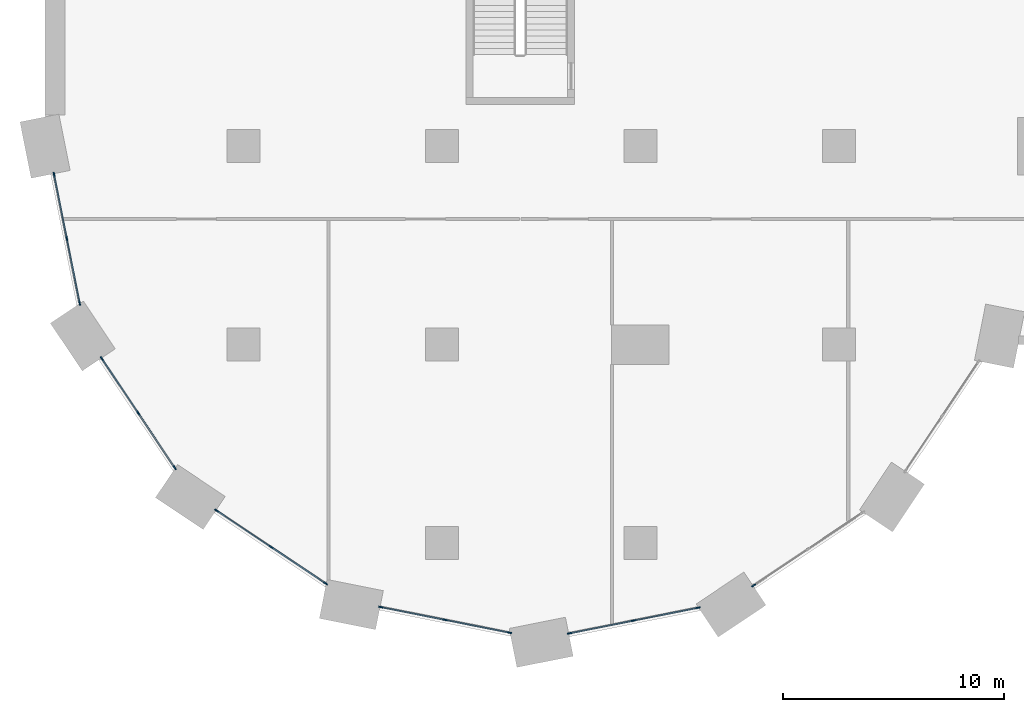
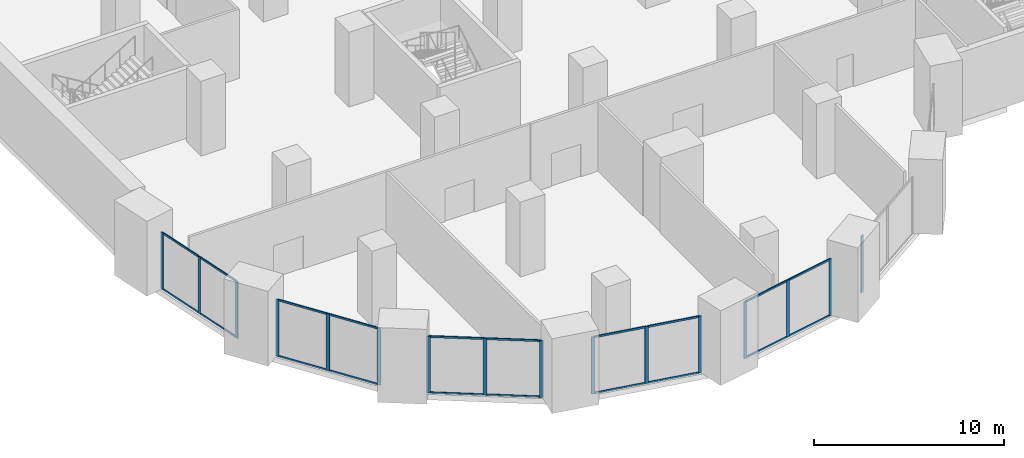
# One storey, part 2 of 49: 36 members, 6 elements without a shape of their own.
"""IFC4 building model written with IfcOpenShell, lengths in metres."""

from ifc_helpers import new_model, si_unit, direction, frame, origin, origin_2d, place, context, subcontext, project, spatial, rectangle, extrude, material, material_profile, profile_set, type_object, element, aggregate, save


model = new_model("IFC4")

# Units and contexts
model_context = context("Model", 3, precision=1e-05, world=origin(), true_north=direction((0.0, 1.0)))
body_context = subcontext(model_context, "Body", "Model", "MODEL_VIEW")
ifc_project = project(units=[si_unit("LENGTHUNIT", "METRE"), si_unit("AREAUNIT", "SQUARE_METRE"), si_unit("VOLUMEUNIT", "CUBIC_METRE"), si_unit("PLANEANGLEUNIT", "RADIAN"), si_unit("MASSUNIT", "GRAM", prefix="KILO")], contexts=[model_context])

# Site, building, storey
site_placement = place(None, origin())
site = spatial("IfcSite", under=ifc_project, at=site_placement, CompositionType="ELEMENT")
building_placement = place(site_placement, origin())
building = spatial("IfcBuilding", under=site, at=building_placement, Name="Hunhe Ridgeline Campus", CompositionType="ELEMENT")
storey_placement = place(building_placement, frame((0.0, 0.0, 21.60009765625)))
storey = spatial("IfcBuildingStorey", under=building, at=storey_placement, Name="L04", CompositionType="ELEMENT", Elevation=21.60009765625)

# Curtain wall, members
ifc_material_1 = material(Name="Aluminium and glass", Category="aluminium")
curtain_wall_type = type_object("IfcCurtainWallType", Name="Podium curtain wall CW-2", PredefinedType="NOTDEFINED", material=ifc_material_1)
curtain_wall_1_placement = place(storey_placement, origin())
curtain_wall_1 = element("IfcCurtainWall", 1, at=curtain_wall_1_placement, inside=storey, type_object=curtain_wall_type, Name="L04 podium curtain wall 9", PredefinedType="NOTDEFINED")
ifc_material_2 = material(Name="Aluminium", Category="aluminium")
ifc_material_profile_1 = material_profile(ifc_material_2, rectangle(XDim=0.06005859375, YDim=0.199951171875, at=origin_2d()))
ifc_profile_set_1 = profile_set([ifc_material_profile_1], Name="Aluminium")
member_type_1 = type_object("IfcMemberType", Name="CW-2 mullion 60x200", PredefinedType="MULLION", material=ifc_profile_set_1)
member_1_placement = place(storey_placement, frame((0.406494140625, 25.724853515625, 0.0), z_axis=(0.0, 0.0, 1.0), x_axis=(0.98078366193, 0.195098458454, 0.0)))
member_1 = element("IfcMember", 2, at=member_1_placement, type_object=member_type_1, Name="CW2 mullion 1", PredefinedType="MULLION", context=body_context, shape_type="SweptSolid", body=[
    extrude(rectangle(XDim=0.06005859375, YDim=0.199951171875, at=origin_2d()), origin(), (0.0, 0.0, 1.0), 3.64990234375),
])
member_2_placement = place(storey_placement, frame((0.987060546875, 22.80712890625, 0.0), z_axis=(0.0, 0.0, 1.0), x_axis=(0.98078366193, 0.195098458454, 0.0)))
member_2 = element("IfcMember", 3, at=member_2_placement, type_object=member_type_1, Name="CW2 mullion 2", PredefinedType="MULLION", context=body_context, shape_type="SweptSolid", body=[
    extrude(rectangle(XDim=0.06005859375, YDim=0.199951171875, at=origin_2d()), origin(), (0.0, 0.0, 1.0), 3.64990234375),
])
member_3_placement = place(storey_placement, frame((1.5673828125, 19.889404296875, 0.0), z_axis=(0.0, 0.0, 1.0), x_axis=(0.98078366193, 0.195098458454, 0.0)))
member_3 = element("IfcMember", 4, at=member_3_placement, type_object=member_type_1, Name="CW2 mullion 3", PredefinedType="MULLION", context=body_context, shape_type="SweptSolid", body=[
    extrude(rectangle(XDim=0.06005859375, YDim=0.199951171875, at=origin_2d()), origin(), (0.0, 0.0, 1.0), 3.64990234375),
])

curtain_wall_2_placement = place(storey_placement, origin())
curtain_wall_2 = element("IfcCurtainWall", 5, at=curtain_wall_2_placement, inside=storey, type_object=curtain_wall_type, Name="L04 podium curtain wall 10", PredefinedType="NOTDEFINED")
member_4_placement = place(storey_placement, frame((2.576416015625, 17.366943359375, 0.0), z_axis=(0.0, 0.0, 1.0), x_axis=(0.831463604177, 0.555579224709, 0.0)))
member_4 = element("IfcMember", 6, at=member_4_placement, type_object=member_type_1, Name="CW2 mullion 1", PredefinedType="MULLION", context=body_context, shape_type="SweptSolid", body=[
    extrude(rectangle(XDim=0.06005859375, YDim=0.199951171875, at=origin_2d()), origin(), (0.0, 0.0, 1.0), 3.64990234375),
])
member_5_placement = place(storey_placement, frame((4.229248046875, 14.8935546875, 0.0), z_axis=(0.0, 0.0, 1.0), x_axis=(0.831463604177, 0.555579224709, 0.0)))
member_5 = element("IfcMember", 7, at=member_5_placement, type_object=member_type_1, Name="CW2 mullion 2", PredefinedType="MULLION", context=body_context, shape_type="SweptSolid", body=[
    extrude(rectangle(XDim=0.06005859375, YDim=0.199951171875, at=origin_2d()), origin(), (0.0, 0.0, 1.0), 3.64990234375),
])
member_6_placement = place(storey_placement, frame((5.8818359375, 12.419921875, 0.0), z_axis=(0.0, 0.0, 1.0), x_axis=(0.831463604177, 0.555579224709, 0.0)))
member_6 = element("IfcMember", 8, at=member_6_placement, type_object=member_type_1, Name="CW2 mullion 3", PredefinedType="MULLION", context=body_context, shape_type="SweptSolid", body=[
    extrude(rectangle(XDim=0.06005859375, YDim=0.199951171875, at=origin_2d()), origin(), (0.0, 0.0, 1.0), 3.64990234375),
])

curtain_wall_3_placement = place(storey_placement, origin())
curtain_wall_3 = element("IfcCurtainWall", 9, at=curtain_wall_3_placement, inside=storey, type_object=curtain_wall_type, Name="L04 podium curtain wall 11", PredefinedType="NOTDEFINED")
member_7_placement = place(storey_placement, frame((7.779296875, 10.475830078125, 0.0), z_axis=(0.0, 0.0, 1.0), x_axis=(0.555571538247, 0.831468740176, 0.0)))
member_7 = element("IfcMember", 10, at=member_7_placement, type_object=member_type_1, Name="CW2 mullion 1", PredefinedType="MULLION", context=body_context, shape_type="SweptSolid", body=[
    extrude(rectangle(XDim=0.06005859375, YDim=0.199951171875, at=origin_2d()), origin(), (0.0, 0.0, 1.0), 3.64990234375),
])
member_8_placement = place(storey_placement, frame((10.252685546875, 8.8232421875, 0.0), z_axis=(0.0, 0.0, 1.0), x_axis=(0.555571538247, 0.831468740176, 0.0)))
member_8 = element("IfcMember", 11, at=member_8_placement, type_object=member_type_1, Name="CW2 mullion 2", PredefinedType="MULLION", context=body_context, shape_type="SweptSolid", body=[
    extrude(rectangle(XDim=0.06005859375, YDim=0.199951171875, at=origin_2d()), origin(), (0.0, 0.0, 1.0), 3.64990234375),
])
member_9_placement = place(storey_placement, frame((12.726318359375, 7.17041015625, 0.0), z_axis=(0.0, 0.0, 1.0), x_axis=(0.555571538247, 0.831468740176, 0.0)))
member_9 = element("IfcMember", 12, at=member_9_placement, type_object=member_type_1, Name="CW2 mullion 3", PredefinedType="MULLION", context=body_context, shape_type="SweptSolid", body=[
    extrude(rectangle(XDim=0.06005859375, YDim=0.199951171875, at=origin_2d()), origin(), (0.0, 0.0, 1.0), 3.64990234375),
])

curtain_wall_4_placement = place(storey_placement, origin())
curtain_wall_4 = element("IfcCurtainWall", 13, at=curtain_wall_4_placement, inside=storey, type_object=curtain_wall_type, Name="L04 podium curtain wall 12", PredefinedType="NOTDEFINED")
member_10_placement = place(storey_placement, frame((15.223388671875, 6.100341796875, 0.0), z_axis=(0.0, 0.0, 1.0), x_axis=(0.195079268527, 0.980787479014, 0.0)))
member_10 = element("IfcMember", 14, at=member_10_placement, type_object=member_type_1, Name="CW2 mullion 1", PredefinedType="MULLION", context=body_context, shape_type="SweptSolid", body=[
    extrude(rectangle(XDim=0.06005859375, YDim=0.199951171875, at=origin_2d()), origin(), (0.0, 0.0, 1.0), 3.64990234375),
])
member_11_placement = place(storey_placement, frame((18.14111328125, 5.52001953125, 0.0), z_axis=(0.0, 0.0, 1.0), x_axis=(0.195079268527, 0.980787479014, 0.0)))
member_11 = element("IfcMember", 15, at=member_11_placement, type_object=member_type_1, Name="CW2 mullion 2", PredefinedType="MULLION", context=body_context, shape_type="SweptSolid", body=[
    extrude(rectangle(XDim=0.06005859375, YDim=0.199951171875, at=origin_2d()), origin(), (0.0, 0.0, 1.0), 3.64990234375),
])
member_12_placement = place(storey_placement, frame((21.058837890625, 4.939697265625, 0.0), z_axis=(0.0, 0.0, 1.0), x_axis=(0.195079268527, 0.980787479014, 0.0)))
member_12 = element("IfcMember", 16, at=member_12_placement, type_object=member_type_1, Name="CW2 mullion 3", PredefinedType="MULLION", context=body_context, shape_type="SweptSolid", body=[
    extrude(rectangle(XDim=0.06005859375, YDim=0.199951171875, at=origin_2d()), origin(), (0.0, 0.0, 1.0), 3.64990234375),
])

curtain_wall_5_placement = place(storey_placement, origin())
curtain_wall_5 = element("IfcCurtainWall", 17, at=curtain_wall_5_placement, inside=storey, type_object=curtain_wall_type, Name="L04 podium curtain wall 13", PredefinedType="NOTDEFINED")
member_13_placement = place(storey_placement, frame((23.775146484375, 4.906494140625, 0.0), z_axis=(0.0, 0.0, 1.0), x_axis=(-0.195098458454, 0.98078366193, 0.0)))
member_13 = element("IfcMember", 18, at=member_13_placement, type_object=member_type_1, Name="CW2 mullion 1", PredefinedType="MULLION", context=body_context, shape_type="SweptSolid", body=[
    extrude(rectangle(XDim=0.06005859375, YDim=0.199951171875, at=origin_2d()), origin(), (0.0, 0.0, 1.0), 3.64990234375),
])
member_14_placement = place(storey_placement, frame((26.69287109375, 5.487060546875, 0.0), z_axis=(0.0, 0.0, 1.0), x_axis=(-0.195098458454, 0.98078366193, 0.0)))
member_14 = element("IfcMember", 19, at=member_14_placement, type_object=member_type_1, Name="CW2 mullion 2", PredefinedType="MULLION", context=body_context, shape_type="SweptSolid", body=[
    extrude(rectangle(XDim=0.06005859375, YDim=0.199951171875, at=origin_2d()), origin(), (0.0, 0.0, 1.0), 3.64990234375),
])
member_15_placement = place(storey_placement, frame((29.610595703125, 6.0673828125, 0.0), z_axis=(0.0, 0.0, 1.0), x_axis=(-0.195098458454, 0.98078366193, 0.0)))
member_15 = element("IfcMember", 20, at=member_15_placement, type_object=member_type_1, Name="CW2 mullion 3", PredefinedType="MULLION", context=body_context, shape_type="SweptSolid", body=[
    extrude(rectangle(XDim=0.06005859375, YDim=0.199951171875, at=origin_2d()), origin(), (0.0, 0.0, 1.0), 3.64990234375),
])

# Curtain wall, member
curtain_wall_6_placement = place(storey_placement, origin())
curtain_wall_6 = element("IfcCurtainWall", 21, at=curtain_wall_6_placement, inside=storey, type_object=curtain_wall_type, Name="L04 podium curtain wall 14", PredefinedType="NOTDEFINED")
member_16_placement = place(storey_placement, frame((32.133056640625, 7.076416015625, 0.0), z_axis=(0.0, 0.0, 1.0), x_axis=(-0.555579224709, 0.831463604177, 0.0)))
member_16 = element("IfcMember", 22, at=member_16_placement, type_object=member_type_1, Name="CW2 mullion 1", PredefinedType="MULLION", context=body_context, shape_type="SweptSolid", body=[
    extrude(rectangle(XDim=0.06005859375, YDim=0.199951171875, at=origin_2d()), origin(), (0.0, 0.0, 1.0), 3.64990234375),
])
aggregate(curtain_wall_6, [member_16])

# Member
ifc_material_profile_2 = material_profile(ifc_material_2, rectangle(XDim=0.06005859375, YDim=0.1201171875, at=origin_2d()))
ifc_profile_set_2 = profile_set([ifc_material_profile_2], Name="Aluminium")
member_type_2 = type_object("IfcMemberType", Name="CW-2 transom 60x120", PredefinedType="USERDEFINED", material=ifc_profile_set_2)
member_17_placement = place(storey_placement, frame((0.412353515625, 25.6953125, 0.02978515625), z_axis=(0.195149633653, -0.980773480721, 0.0), x_axis=(0.980773480721, 0.195149633653, 0.0)))
member_17 = element("IfcMember", 23, at=member_17_placement, type_object=member_type_2, Name="CW2 transom 1.1", ObjectType="TRANSOM", PredefinedType="USERDEFINED", context=body_context, shape_type="SweptSolid", body=[
    extrude(rectangle(XDim=0.06005859375, YDim=0.1201171875, at=origin_2d()), origin(), (0.0, 0.0, 1.0), 2.9150390625),
])

member_18_placement = place(storey_placement, frame((0.412353515625, 25.6953125, 3.619873046875), z_axis=(0.195149633653, -0.980773480721, 0.0), x_axis=(0.980773480721, 0.195149633653, 0.0)))
member_18 = element("IfcMember", 24, at=member_18_placement, type_object=member_type_2, Name="CW2 transom 1.2", ObjectType="TRANSOM", PredefinedType="USERDEFINED", context=body_context, shape_type="SweptSolid", body=[
    extrude(rectangle(XDim=0.06005859375, YDim=0.1201171875, at=origin_2d()), origin(), (0.0, 0.0, 1.0), 2.9150390625),
])

member_19_placement = place(storey_placement, frame((0.992919921875, 22.777587890625, 0.02978515625), z_axis=(0.195069066152, -0.980789508218, 0.0), x_axis=(0.980789508218, 0.195069066152, 0.0)))
member_19 = element("IfcMember", 25, at=member_19_placement, type_object=member_type_2, Name="CW2 transom 2.1", ObjectType="TRANSOM", PredefinedType="USERDEFINED", context=body_context, shape_type="SweptSolid", body=[
    extrude(rectangle(XDim=0.06005859375, YDim=0.1201171875, at=origin_2d()), origin(), (0.0, 0.0, 1.0), 2.914794921875),
])

member_20_placement = place(storey_placement, frame((0.992919921875, 22.777587890625, 3.619873046875), z_axis=(0.195069066152, -0.980789508218, 0.0), x_axis=(0.980789508218, 0.195069066152, 0.0)))
member_20 = element("IfcMember", 26, at=member_20_placement, type_object=member_type_2, Name="CW2 transom 2.2", ObjectType="TRANSOM", PredefinedType="USERDEFINED", context=body_context, shape_type="SweptSolid", body=[
    extrude(rectangle(XDim=0.06005859375, YDim=0.1201171875, at=origin_2d()), origin(), (0.0, 0.0, 1.0), 2.914794921875),
])

aggregate(curtain_wall_1, [member_1, member_2, member_3, member_17, member_18, member_19, member_20])

member_21_placement = place(storey_placement, frame((2.593017578125, 17.342041015625, 0.02978515625), z_axis=(0.55556969226, -0.831469973626, 0.0), x_axis=(0.831469973626, 0.55556969226, 0.0)))
member_21 = element("IfcMember", 27, at=member_21_placement, type_object=member_type_2, Name="CW2 transom 1.1", ObjectType="TRANSOM", PredefinedType="USERDEFINED", context=body_context, shape_type="SweptSolid", body=[
    extrude(rectangle(XDim=0.06005859375, YDim=0.1201171875, at=origin_2d()), origin(), (0.0, 0.0, 1.0), 2.914794921875),
])

member_22_placement = place(storey_placement, frame((2.593017578125, 17.342041015625, 3.619873046875), z_axis=(0.55556969226, -0.831469973626, 0.0), x_axis=(0.831469973626, 0.55556969226, 0.0)))
member_22 = element("IfcMember", 28, at=member_22_placement, type_object=member_type_2, Name="CW2 transom 1.2", ObjectType="TRANSOM", PredefinedType="USERDEFINED", context=body_context, shape_type="SweptSolid", body=[
    extrude(rectangle(XDim=0.06005859375, YDim=0.1201171875, at=origin_2d()), origin(), (0.0, 0.0, 1.0), 2.914794921875),
])

member_23_placement = place(storey_placement, frame((4.245849609375, 14.86865234375, 0.02978515625), z_axis=(0.55556969226, -0.831469973626, 0.0), x_axis=(0.831469973626, 0.55556969226, 0.0)))
member_23 = element("IfcMember", 29, at=member_23_placement, type_object=member_type_2, Name="CW2 transom 2.1", ObjectType="TRANSOM", PredefinedType="USERDEFINED", context=body_context, shape_type="SweptSolid", body=[
    extrude(rectangle(XDim=0.06005859375, YDim=0.1201171875, at=origin_2d()), origin(), (0.0, 0.0, 1.0), 2.914794921875),
])

member_24_placement = place(storey_placement, frame((4.245849609375, 14.86865234375, 3.619873046875), z_axis=(0.55556969226, -0.831469973626, 0.0), x_axis=(0.831469973626, 0.55556969226, 0.0)))
member_24 = element("IfcMember", 30, at=member_24_placement, type_object=member_type_2, Name="CW2 transom 2.2", ObjectType="TRANSOM", PredefinedType="USERDEFINED", context=body_context, shape_type="SweptSolid", body=[
    extrude(rectangle(XDim=0.06005859375, YDim=0.1201171875, at=origin_2d()), origin(), (0.0, 0.0, 1.0), 2.914794921875),
])

aggregate(curtain_wall_2, [member_4, member_5, member_6, member_21, member_22, member_23, member_24])

member_25_placement = place(storey_placement, frame((7.80419921875, 10.459228515625, 0.02978515625), z_axis=(0.831469973626, -0.55556969226, 0.0), x_axis=(0.55556969226, 0.831469973626, 0.0)))
member_25 = element("IfcMember", 31, at=member_25_placement, type_object=member_type_2, Name="CW2 transom 1.1", ObjectType="TRANSOM", PredefinedType="USERDEFINED", context=body_context, shape_type="SweptSolid", body=[
    extrude(rectangle(XDim=0.06005859375, YDim=0.1201171875, at=origin_2d()), origin(), (0.0, 0.0, 1.0), 2.914794921875),
])

member_26_placement = place(storey_placement, frame((7.80419921875, 10.459228515625, 3.619873046875), z_axis=(0.831469973626, -0.55556969226, 0.0), x_axis=(0.55556969226, 0.831469973626, 0.0)))
member_26 = element("IfcMember", 32, at=member_26_placement, type_object=member_type_2, Name="CW2 transom 1.2", ObjectType="TRANSOM", PredefinedType="USERDEFINED", context=body_context, shape_type="SweptSolid", body=[
    extrude(rectangle(XDim=0.06005859375, YDim=0.1201171875, at=origin_2d()), origin(), (0.0, 0.0, 1.0), 2.914794921875),
])

member_27_placement = place(storey_placement, frame((10.27783203125, 8.806396484375, 0.02978515625), z_axis=(0.831469973626, -0.55556969226, 0.0), x_axis=(0.55556969226, 0.831469973626, 0.0)))
member_27 = element("IfcMember", 33, at=member_27_placement, type_object=member_type_2, Name="CW2 transom 2.1", ObjectType="TRANSOM", PredefinedType="USERDEFINED", context=body_context, shape_type="SweptSolid", body=[
    extrude(rectangle(XDim=0.06005859375, YDim=0.1201171875, at=origin_2d()), origin(), (0.0, 0.0, 1.0), 2.914794921875),
])

member_28_placement = place(storey_placement, frame((10.27783203125, 8.806396484375, 3.619873046875), z_axis=(0.831469973626, -0.55556969226, 0.0), x_axis=(0.55556969226, 0.831469973626, 0.0)))
member_28 = element("IfcMember", 34, at=member_28_placement, type_object=member_type_2, Name="CW2 transom 2.2", ObjectType="TRANSOM", PredefinedType="USERDEFINED", context=body_context, shape_type="SweptSolid", body=[
    extrude(rectangle(XDim=0.06005859375, YDim=0.1201171875, at=origin_2d()), origin(), (0.0, 0.0, 1.0), 2.914794921875),
])

aggregate(curtain_wall_3, [member_7, member_8, member_9, member_25, member_26, member_27, member_28])

member_29_placement = place(storey_placement, frame((15.252685546875, 6.094482421875, 0.02978515625), z_axis=(0.980789508218, -0.195069066152, 0.0), x_axis=(0.195069066152, 0.980789508218, 0.0)))
member_29 = element("IfcMember", 35, at=member_29_placement, type_object=member_type_2, Name="CW2 transom 1.1", ObjectType="TRANSOM", PredefinedType="USERDEFINED", context=body_context, shape_type="SweptSolid", body=[
    extrude(rectangle(XDim=0.06005859375, YDim=0.1201171875, at=origin_2d()), origin(), (0.0, 0.0, 1.0), 2.914794921875),
])

member_30_placement = place(storey_placement, frame((15.252685546875, 6.094482421875, 3.619873046875), z_axis=(0.980789508218, -0.195069066152, 0.0), x_axis=(0.195069066152, 0.980789508218, 0.0)))
member_30 = element("IfcMember", 36, at=member_30_placement, type_object=member_type_2, Name="CW2 transom 1.2", ObjectType="TRANSOM", PredefinedType="USERDEFINED", context=body_context, shape_type="SweptSolid", body=[
    extrude(rectangle(XDim=0.06005859375, YDim=0.1201171875, at=origin_2d()), origin(), (0.0, 0.0, 1.0), 2.914794921875),
])

member_31_placement = place(storey_placement, frame((18.17041015625, 5.51416015625, 0.02978515625), z_axis=(0.980792694926, -0.195053042992, 0.0), x_axis=(0.195053042992, 0.980792694926, 0.0)))
member_31 = element("IfcMember", 37, at=member_31_placement, type_object=member_type_2, Name="CW2 transom 2.1", ObjectType="TRANSOM", PredefinedType="USERDEFINED", context=body_context, shape_type="SweptSolid", body=[
    extrude(rectangle(XDim=0.06005859375, YDim=0.1201171875, at=origin_2d()), origin(), (0.0, 0.0, 1.0), 2.9150390625),
])

member_32_placement = place(storey_placement, frame((18.17041015625, 5.51416015625, 3.619873046875), z_axis=(0.980792694926, -0.195053042992, 0.0), x_axis=(0.195053042992, 0.980792694926, 0.0)))
member_32 = element("IfcMember", 38, at=member_32_placement, type_object=member_type_2, Name="CW2 transom 2.2", ObjectType="TRANSOM", PredefinedType="USERDEFINED", context=body_context, shape_type="SweptSolid", body=[
    extrude(rectangle(XDim=0.06005859375, YDim=0.1201171875, at=origin_2d()), origin(), (0.0, 0.0, 1.0), 2.9150390625),
])

aggregate(curtain_wall_4, [member_10, member_11, member_12, member_29, member_30, member_31, member_32])

member_33_placement = place(storey_placement, frame((23.8046875, 4.912353515625, 0.02978515625), z_axis=(0.980773480721, 0.195149633653, 0.0), x_axis=(-0.195149633653, 0.980773480721, 0.0)))
member_33 = element("IfcMember", 39, at=member_33_placement, type_object=member_type_2, Name="CW2 transom 1.1", ObjectType="TRANSOM", PredefinedType="USERDEFINED", context=body_context, shape_type="SweptSolid", body=[
    extrude(rectangle(XDim=0.06005859375, YDim=0.1201171875, at=origin_2d()), origin(), (0.0, 0.0, 1.0), 2.9150390625),
])

member_34_placement = place(storey_placement, frame((23.8046875, 4.912353515625, 3.619873046875), z_axis=(0.980773480721, 0.195149633653, 0.0), x_axis=(-0.195149633653, 0.980773480721, 0.0)))
member_34 = element("IfcMember", 40, at=member_34_placement, type_object=member_type_2, Name="CW2 transom 1.2", ObjectType="TRANSOM", PredefinedType="USERDEFINED", context=body_context, shape_type="SweptSolid", body=[
    extrude(rectangle(XDim=0.06005859375, YDim=0.1201171875, at=origin_2d()), origin(), (0.0, 0.0, 1.0), 2.9150390625),
])

member_35_placement = place(storey_placement, frame((26.722412109375, 5.492919921875, 0.02978515625), z_axis=(0.980789508218, 0.195069066152, 0.0), x_axis=(-0.195069066152, 0.980789508218, 0.0)))
member_35 = element("IfcMember", 41, at=member_35_placement, type_object=member_type_2, Name="CW2 transom 2.1", ObjectType="TRANSOM", PredefinedType="USERDEFINED", context=body_context, shape_type="SweptSolid", body=[
    extrude(rectangle(XDim=0.06005859375, YDim=0.1201171875, at=origin_2d()), origin(), (0.0, 0.0, 1.0), 2.914794921875),
])

member_36_placement = place(storey_placement, frame((26.722412109375, 5.492919921875, 3.619873046875), z_axis=(0.980789508218, 0.195069066152, 0.0), x_axis=(-0.195069066152, 0.980789508218, 0.0)))
member_36 = element("IfcMember", 42, at=member_36_placement, type_object=member_type_2, Name="CW2 transom 2.2", ObjectType="TRANSOM", PredefinedType="USERDEFINED", context=body_context, shape_type="SweptSolid", body=[
    extrude(rectangle(XDim=0.06005859375, YDim=0.1201171875, at=origin_2d()), origin(), (0.0, 0.0, 1.0), 2.914794921875),
])

aggregate(curtain_wall_5, [member_13, member_14, member_15, member_33, member_34, member_35, member_36])

save(model, "model.ifc")
